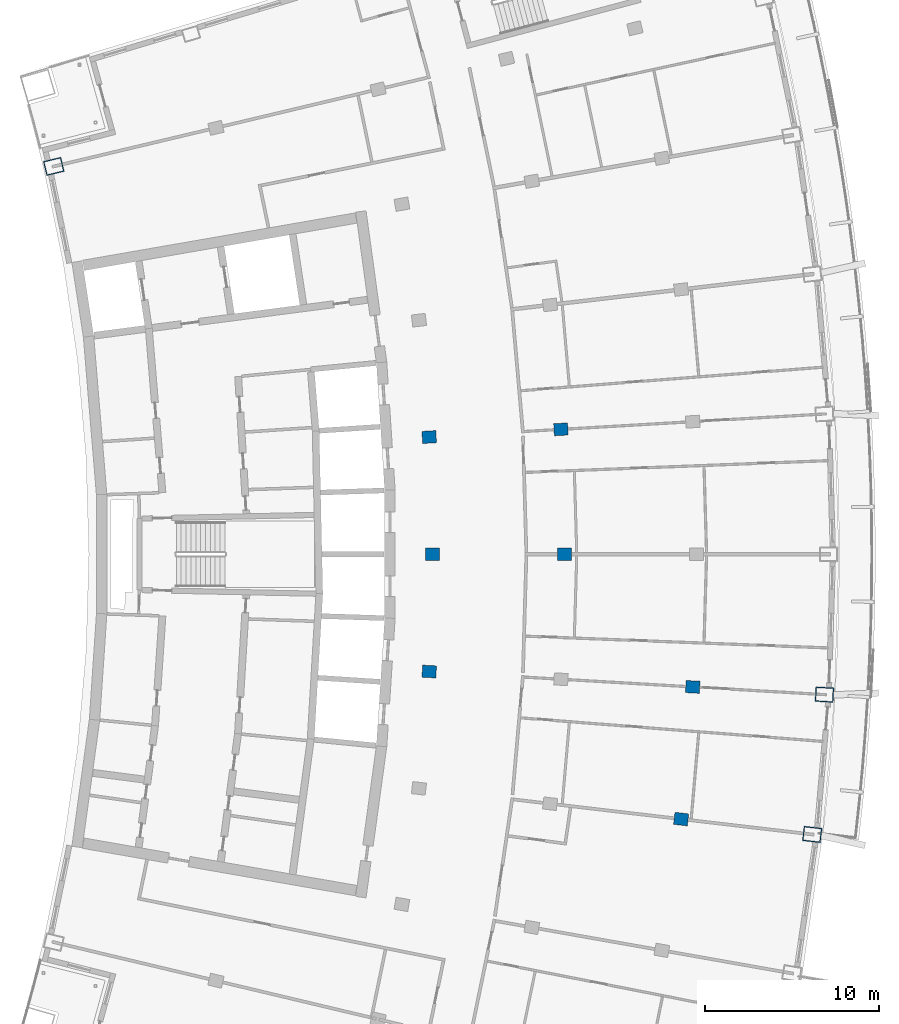
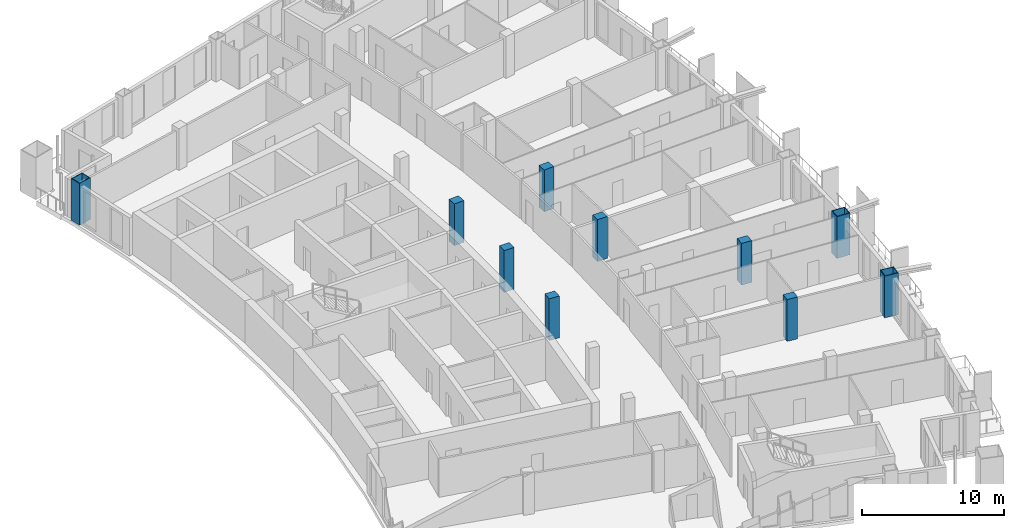
# One storey, part 4 of 19: 10 columns.
"""IFC4 building model written with IfcOpenShell, lengths in metres."""

from ifc_helpers import new_model, si_unit, direction, frame, origin, origin_2d, place, context, subcontext, project, spatial, rectangle, hollow_rectangle, extrude, material, material_profile, profile_set, type_object, element, save


model = new_model("IFC4")

# Units and contexts
model_context = context("Model", 3, precision=1e-05, world=origin(), true_north=direction((0.0, 1.0)))
body_context = subcontext(model_context, "Body", "Model", "MODEL_VIEW")
ifc_project = project(units=[si_unit("LENGTHUNIT", "METRE"), si_unit("AREAUNIT", "SQUARE_METRE"), si_unit("VOLUMEUNIT", "CUBIC_METRE"), si_unit("PLANEANGLEUNIT", "RADIAN"), si_unit("MASSUNIT", "GRAM", prefix="KILO")], contexts=[model_context])

# Site, building, storey
site_placement = place(None, origin())
site = spatial("IfcSite", under=ifc_project, at=site_placement, CompositionType="ELEMENT")
building_placement = place(site_placement, origin())
building = spatial("IfcBuilding", under=site, at=building_placement, Name="Alderwake Tower", CompositionType="ELEMENT")
storey_placement = place(building_placement, frame((0.0, 0.0, 192.800048828125)))
storey = spatial("IfcBuildingStorey", under=building, at=storey_placement, Name="L47", CompositionType="ELEMENT", Elevation=192.800048828125)

# Columns
ifc_material_1 = material(Name="Concrete C70/85", Category="concrete")
ifc_material_profile_1 = material_profile(ifc_material_1, rectangle(XDim=0.699951171875, YDim=0.800048828125, at=origin_2d()), Name="RC 800X700")
ifc_profile_set_1 = profile_set([ifc_material_profile_1], Name="Concrete C70/85")
column_type_1 = type_object("IfcColumnType", Name="Interior column Z4", PredefinedType="COLUMN", material=ifc_profile_set_1)
for number, where, z_axis, x_axis, name in (
    (1, (50.109619140625, 45.751220703125, 0.0), (0.0, 0.0, 1.0), (0.116402054316, 0.993202175668, 0.0), "Column R05-C4"),
    (2, (35.60302734375, 54.248779296875, 0.0), (0.0, 0.0, 1.0), (0.058301061284, 0.998299046505, 0.0), "Column R06-C2"),
    (3, (50.777099609375, 53.36279296875, 0.0), (0.0, 0.0, 1.0), (0.058299318924, 0.998299148258, 0.0), "Column R06-C4"),
    (4, (35.800048828125, 61.0, 0.0), (0.0, 0.0, 1.0), (0.0, 1.0, 0.0), "Column R07-C2"),
    (5, (43.39990234375, 61.0, 0.0), (0.0, 0.0, 1.0), (0.0, 1.0, 0.0), "Column R07-C3"),
    (6, (35.60302734375, 67.751220703125, 0.0), (0.0, 0.0, 1.0), (-0.058301061284, 0.998299046505, 0.0), "Column R08-C2"),
    (7, (43.190185546875, 68.1943359375, 0.0), (0.0, 0.0, 1.0), (-0.058301061284, 0.998299046505, 0.0), "Column R08-C3"),
):
    element("IfcColumn", number, at=place(storey_placement, frame(where, z_axis=z_axis, x_axis=x_axis)), inside=storey, type_object=column_type_1, Name=name, PredefinedType="COLUMN", context=body_context, shape_type="SweptSolid", body=[
        extrude(rectangle(XDim=0.699951171875, YDim=0.800048828125, at=origin_2d()), origin(), (0.0, 0.0, 1.0), 3.599853515625),
    ])
ifc_material_2 = material(Name="Steel ASTM A572 Grade 50 concrete filled C70/85", Category="concrete")
ifc_material_profile_2 = material_profile(ifc_material_2, hollow_rectangle(XDim=0.85009765625, YDim=1.050048828125, WallThickness=0.054931640625, at=origin_2d()), Name="BOX 1050X850X55")
ifc_profile_set_2 = profile_set([ifc_material_profile_2], Name="Steel ASTM A572 Grade 50 concrete filled C70/85")
column_type_2 = type_object("IfcColumnType", Name="Perimeter column Z4", PredefinedType="COLUMN", material=ifc_profile_set_2)
for number, where, z_axis, x_axis, name in (
    (8, (57.65771484375, 44.86669921875, 0.0), (0.0, 0.0, 1.0), (0.116402054316, 0.993202175668, 0.0), "Column R05-C5"),
    (9, (58.3642578125, 52.919677734375, 0.0), (0.0, 0.0, 1.0), (0.058299318924, 0.998299148258, 0.0), "Column R06-C5"),
    (10, (13.982177734375, 83.3359375, 0.0), (0.0, 0.0, 1.0), (-0.231221547198, 0.972901123502, 0.0), "Column R11-C0"),
):
    element("IfcColumn", number, at=place(storey_placement, frame(where, z_axis=z_axis, x_axis=x_axis)), inside=storey, type_object=column_type_2, Name=name, PredefinedType="COLUMN", context=body_context, shape_type="SweptSolid", body=[
        extrude(hollow_rectangle(XDim=0.85009765625, YDim=1.050048828125, WallThickness=0.054931640625, at=origin_2d()), origin(), (0.0, 0.0, 1.0), 3.599853515625),
    ])

save(model, "model.ifc")
